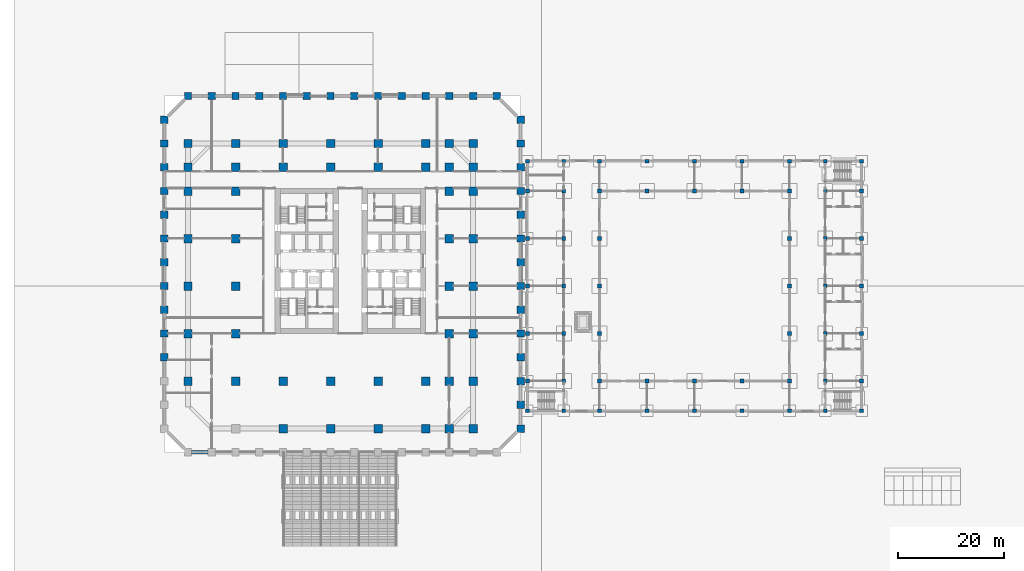
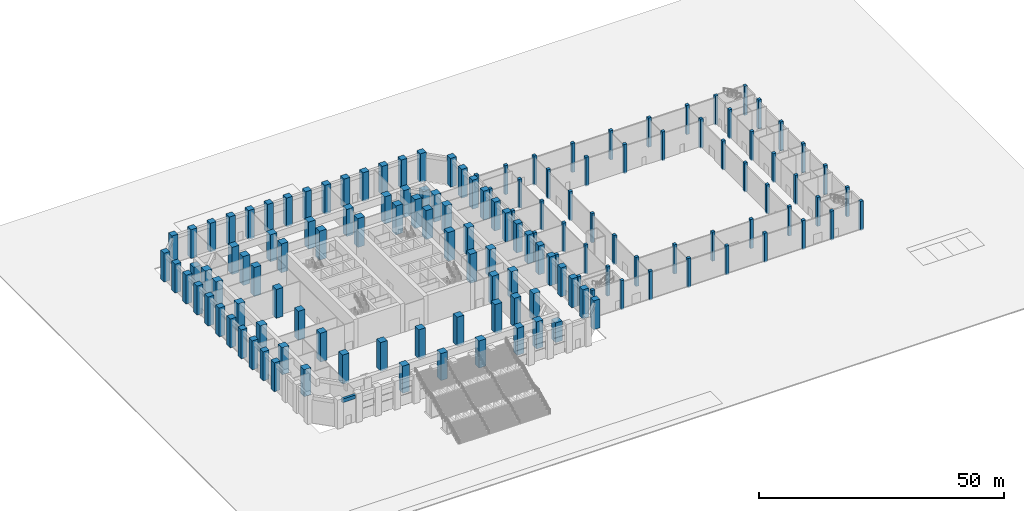
# One storey, part 2 of 30: 139 columns, 1 beam.
"""IFC4 building model written with IfcOpenShell, lengths in metres."""

from ifc_helpers import new_model, si_unit, direction, frame, origin, origin_2d, place, context, subcontext, project, spatial, rectangle, extrude, material, material_profile, profile_set, type_object, element, save


model = new_model("IFC4")

# Units and contexts
model_context = context("Model", 3, precision=1e-05, world=origin(), true_north=direction((0.0, 1.0)))
body_context = subcontext(model_context, "Body", "Model", "MODEL_VIEW")
ifc_project = project(units=[si_unit("LENGTHUNIT", "METRE"), si_unit("AREAUNIT", "SQUARE_METRE"), si_unit("VOLUMEUNIT", "CUBIC_METRE"), si_unit("PLANEANGLEUNIT", "RADIAN"), si_unit("MASSUNIT", "GRAM", prefix="KILO")], contexts=[model_context])

# Site, building, storey
site_placement = place(None, origin())
site = spatial("IfcSite", under=ifc_project, at=site_placement, CompositionType="ELEMENT")
building_placement = place(site_placement, origin())
building = spatial("IfcBuilding", under=site, at=building_placement, Name="Corbel Stack Research Tower", CompositionType="ELEMENT")
storey_placement = place(building_placement, origin())
storey = spatial("IfcBuildingStorey", under=building, at=storey_placement, Name="L00", CompositionType="ELEMENT", Elevation=0.0)

# Columns
ifc_material_1 = material(Name="Concrete C70/85", Category="concrete")
ifc_material_profile_1 = material_profile(ifc_material_1, rectangle(XDim=1.39990234375, YDim=1.39990234375, at=origin_2d()), Name="RC 1400 x 1400")
ifc_profile_set_1 = profile_set([ifc_material_profile_1], Name="Concrete C70/85")
column_type_1 = type_object("IfcColumnType", Name="C-1400-70", PredefinedType="COLUMN", material=ifc_profile_set_1)
for number, where, z_axis, x_axis, name in (
    (1, (-31.5, -13.5, 0.0), (0.0, 0.0, 1.0), (1.0, 0.0, 0.0), "Column 1/E L00"),
    (2, (-31.5, -9.0, 0.0), (0.0, 0.0, 1.0), (1.0, 0.0, 0.0), "Column 1/F L00"),
    (3, (-31.5, -4.5, 0.0), (0.0, 0.0, 1.0), (1.0, 0.0, 0.0), "Column 1/G L00"),
    (4, (-31.5, 0.0, 0.0), (0.0, 0.0, 1.0), (1.0, 0.0, 0.0), "Column 1/H L00"),
    (5, (-31.5, 4.5, 0.0), (0.0, 0.0, 1.0), (1.0, 0.0, 0.0), "Column 1/J L00"),
    (6, (-31.5, 9.0, 0.0), (0.0, 0.0, 1.0), (1.0, 0.0, 0.0), "Column 1/K L00"),
    (7, (-31.5, 13.5, 0.0), (0.0, 0.0, 1.0), (1.0, 0.0, 0.0), "Column 1/L L00"),
    (8, (-31.5, 18.0, 0.0), (0.0, 0.0, 1.0), (1.0, 0.0, 0.0), "Column 1/M L00"),
    (9, (-31.5, 22.5, 0.0), (0.0, 0.0, 1.0), (1.0, 0.0, 0.0), "Column 1/N L00"),
    (10, (-31.5, 27.0, 0.0), (0.0, 0.0, 1.0), (1.0, 0.0, 0.0), "Column 1/P L00"),
    (11, (-31.5, 31.5, 0.0), (0.0, 0.0, 1.0), (1.0, 0.0, 0.0), "Column 1/Q L00"),
    (12, (-27.0, 36.0, 0.0), (0.0, 0.0, 1.0), (1.0, 0.0, 0.0), "Column 2/R L00"),
    (13, (-22.5, 36.0, 0.0), (0.0, 0.0, 1.0), (1.0, 0.0, 0.0), "Column 3/R L00"),
    (14, (-18.0, 36.0, 0.0), (0.0, 0.0, 1.0), (1.0, 0.0, 0.0), "Column 4/R L00"),
    (15, (-13.5, 36.0, 0.0), (0.0, 0.0, 1.0), (1.0, 0.0, 0.0), "Column 5/R L00"),
    (16, (-9.0, 36.0, 0.0), (0.0, 0.0, 1.0), (1.0, 0.0, 0.0), "Column 6/R L00"),
    (17, (-4.5, 36.0, 0.0), (0.0, 0.0, 1.0), (1.0, 0.0, 0.0), "Column 7/R L00"),
    (18, (0.0, 36.0, 0.0), (0.0, 0.0, 1.0), (1.0, 0.0, 0.0), "Column 8/R L00"),
    (19, (4.5, 36.0, 0.0), (0.0, 0.0, 1.0), (1.0, 0.0, 0.0), "Column 9/R L00"),
    (20, (9.0, 36.0, 0.0), (0.0, 0.0, 1.0), (1.0, 0.0, 0.0), "Column 10/R L00"),
    (21, (13.5, 36.0, 0.0), (0.0, 0.0, 1.0), (1.0, 0.0, 0.0), "Column 11/R L00"),
    (22, (18.0, 36.0, 0.0), (0.0, 0.0, 1.0), (1.0, 0.0, 0.0), "Column 12/R L00"),
    (23, (22.5, 36.0, 0.0), (0.0, 0.0, 1.0), (1.0, 0.0, 0.0), "Column 13/R L00"),
    (24, (27.0, 36.0, 0.0), (0.0, 0.0, 1.0), (1.0, 0.0, 0.0), "Column 14/R L00"),
    (25, (31.5, 36.0, 0.0), (0.0, 0.0, 1.0), (1.0, 0.0, 0.0), "Column 15/R L00"),
    (26, (36.0, -27.0, 0.0), (0.0, 0.0, 1.0), (1.0, 0.0, 0.0), "Column 16/B L00"),
    (27, (36.0, -22.5, 0.0), (0.0, 0.0, 1.0), (1.0, 0.0, 0.0), "Column 16/C L00"),
    (28, (36.0, -18.0, 0.0), (0.0, 0.0, 1.0), (1.0, 0.0, 0.0), "Column 16/D L00"),
    (29, (36.0, -13.5, 0.0), (0.0, 0.0, 1.0), (1.0, 0.0, 0.0), "Column 16/E L00"),
    (30, (36.0, -9.0, 0.0), (0.0, 0.0, 1.0), (1.0, 0.0, 0.0), "Column 16/F L00"),
    (31, (36.0, -4.5, 0.0), (0.0, 0.0, 1.0), (1.0, 0.0, 0.0), "Column 16/G L00"),
    (32, (36.0, 0.0, 0.0), (0.0, 0.0, 1.0), (1.0, 0.0, 0.0), "Column 16/H L00"),
    (33, (36.0, 4.5, 0.0), (0.0, 0.0, 1.0), (1.0, 0.0, 0.0), "Column 16/J L00"),
    (34, (36.0, 9.0, 0.0), (0.0, 0.0, 1.0), (1.0, 0.0, 0.0), "Column 16/K L00"),
    (35, (36.0, 13.5, 0.0), (0.0, 0.0, 1.0), (1.0, 0.0, 0.0), "Column 16/L L00"),
    (36, (36.0, 18.0, 0.0), (0.0, 0.0, 1.0), (1.0, 0.0, 0.0), "Column 16/M L00"),
    (37, (36.0, 22.5, 0.0), (0.0, 0.0, 1.0), (1.0, 0.0, 0.0), "Column 16/N L00"),
    (38, (36.0, 27.0, 0.0), (0.0, 0.0, 1.0), (1.0, 0.0, 0.0), "Column 16/P L00"),
    (39, (36.0, 31.5, 0.0), (0.0, 0.0, 1.0), (1.0, 0.0, 0.0), "Column 16/Q L00"),
):
    element("IfcColumn", number, at=place(storey_placement, frame(where, z_axis=z_axis, x_axis=x_axis)), inside=storey, type_object=column_type_1, Name=name, PredefinedType="COLUMN", context=body_context, shape_type="SweptSolid", body=[
        extrude(rectangle(XDim=1.39990234375, YDim=1.39990234375, at=origin_2d()), origin(), (0.0, 0.0, 1.0), 7.199951171875),
    ])
ifc_material_2 = material(Name="Concrete C70/85", Category="concrete")
ifc_material_profile_2 = material_profile(ifc_material_2, rectangle(XDim=1.60009765625, YDim=1.60009765625, at=origin_2d()), Name="RC 1600 x 1600")
ifc_profile_set_2 = profile_set([ifc_material_profile_2], Name="Concrete C70/85")
column_type_2 = type_object("IfcColumnType", Name="C-1600-70", PredefinedType="COLUMN", material=ifc_profile_set_2)
for number, where, z_axis, x_axis, name in (
    (40, (-18.0, -18.0, 0.0), (0.0, 0.0, 1.0), (1.0, 0.0, 0.0), "Column 4/D L00"),
    (41, (-18.0, -9.0, 0.0), (0.0, 0.0, 1.0), (1.0, 0.0, 0.0), "Column 4/F L00"),
    (42, (-18.0, 0.0, 0.0), (0.0, 0.0, 1.0), (1.0, 0.0, 0.0), "Column 4/H L00"),
    (43, (-18.0, 9.0, 0.0), (0.0, 0.0, 1.0), (1.0, 0.0, 0.0), "Column 4/K L00"),
    (44, (-18.0, 18.0, 0.0), (0.0, 0.0, 1.0), (1.0, 0.0, 0.0), "Column 4/M L00"),
    (45, (-18.0, 22.5, 0.0), (0.0, 0.0, 1.0), (1.0, 0.0, 0.0), "Column 4/N L00"),
    (46, (-9.0, -18.0, 0.0), (0.0, 0.0, 1.0), (1.0, 0.0, 0.0), "Column 6/D L00"),
    (47, (-9.0, 22.5, 0.0), (0.0, 0.0, 1.0), (1.0, 0.0, 0.0), "Column 6/N L00"),
    (48, (0.0, -18.0, 0.0), (0.0, 0.0, 1.0), (1.0, 0.0, 0.0), "Column 8/D L00"),
    (49, (0.0, 22.5, 0.0), (0.0, 0.0, 1.0), (1.0, 0.0, 0.0), "Column 8/N L00"),
    (50, (9.0, -18.0, 0.0), (0.0, 0.0, 1.0), (1.0, 0.0, 0.0), "Column 10/D L00"),
    (51, (9.0, 22.5, 0.0), (0.0, 0.0, 1.0), (1.0, 0.0, 0.0), "Column 10/N L00"),
    (52, (18.0, -18.0, 0.0), (0.0, 0.0, 1.0), (1.0, 0.0, 0.0), "Column 12/D L00"),
    (53, (18.0, 22.5, 0.0), (0.0, 0.0, 1.0), (1.0, 0.0, 0.0), "Column 12/N L00"),
    (54, (22.5, -18.0, 0.0), (0.0, 0.0, 1.0), (1.0, 0.0, 0.0), "Column 13/D L00"),
    (55, (22.5, -9.0, 0.0), (0.0, 0.0, 1.0), (1.0, 0.0, 0.0), "Column 13/F L00"),
    (56, (22.5, 0.0, 0.0), (0.0, 0.0, 1.0), (1.0, 0.0, 0.0), "Column 13/H L00"),
    (57, (22.5, 9.0, 0.0), (0.0, 0.0, 1.0), (1.0, 0.0, 0.0), "Column 13/K L00"),
    (58, (22.5, 18.0, 0.0), (0.0, 0.0, 1.0), (1.0, 0.0, 0.0), "Column 13/M L00"),
    (59, (22.5, 22.5, 0.0), (0.0, 0.0, 1.0), (1.0, 0.0, 0.0), "Column 13/N L00"),
):
    element("IfcColumn", number, at=place(storey_placement, frame(where, z_axis=z_axis, x_axis=x_axis)), inside=storey, type_object=column_type_2, Name=name, PredefinedType="COLUMN", context=body_context, shape_type="SweptSolid", body=[
        extrude(rectangle(XDim=1.60009765625, YDim=1.60009765625, at=origin_2d()), origin(), (0.0, 0.0, 1.0), 7.199951171875),
    ])
ifc_material_3 = material(Name="Concrete C70/85", Category="concrete")
ifc_material_profile_3 = material_profile(ifc_material_3, rectangle(XDim=1.60009765625, YDim=1.60009765625, at=origin_2d()), Name="RC 1600 x 1600")
ifc_profile_set_3 = profile_set([ifc_material_profile_3], Name="Concrete C70/85")
column_type_3 = type_object("IfcColumnType", Name="CG-1600-70-2250", PredefinedType="COLUMN", material=ifc_profile_set_3)
for number, where, z_axis, x_axis, name in (
    (60, (-27.0, 27.0, 0.0), (0.0, 0.0, 1.0), (1.0, 0.0, 0.0), "Column 2/P L00"),
    (61, (27.0, -27.0, 0.0), (0.0, 0.0, 1.0), (1.0, 0.0, 0.0), "Column 14/B L00"),
    (62, (27.0, 27.0, 0.0), (0.0, 0.0, 1.0), (1.0, 0.0, 0.0), "Column 14/P L00"),
):
    element("IfcColumn", number, at=place(storey_placement, frame(where, z_axis=z_axis, x_axis=x_axis)), inside=storey, type_object=column_type_3, Name=name, PredefinedType="COLUMN", context=body_context, shape_type="SweptSolid", body=[
        extrude(rectangle(XDim=1.60009765625, YDim=1.60009765625, at=origin_2d()), origin(), (0.0, 0.0, 1.0), 4.949951171875),
    ])
ifc_material_4 = material(Name="Concrete C70/85", Category="concrete")
ifc_material_profile_4 = material_profile(ifc_material_4, rectangle(XDim=1.60009765625, YDim=1.60009765625, at=origin_2d()), Name="RC 1600 x 1600")
ifc_profile_set_4 = profile_set([ifc_material_profile_4], Name="Concrete C70/85")
column_type_4 = type_object("IfcColumnType", Name="CG-1600-70-450", PredefinedType="COLUMN", material=ifc_profile_set_4)
for number, where, z_axis, x_axis, name in (
    (63, (-27.0, -18.0, 0.0), (0.0, 0.0, 1.0), (1.0, 0.0, 0.0), "Column 2/D L00"),
    (64, (-27.0, -9.0, 0.0), (0.0, 0.0, 1.0), (1.0, 0.0, 0.0), "Column 2/F L00"),
    (65, (-27.0, 0.0, 0.0), (0.0, 0.0, 1.0), (1.0, 0.0, 0.0), "Column 2/H L00"),
    (66, (-27.0, 9.0, 0.0), (0.0, 0.0, 1.0), (1.0, 0.0, 0.0), "Column 2/K L00"),
    (67, (-27.0, 18.0, 0.0), (0.0, 0.0, 1.0), (1.0, 0.0, 0.0), "Column 2/M L00"),
    (68, (-27.0, 22.5, 0.0), (0.0, 0.0, 1.0), (1.0, 0.0, 0.0), "Column 2/N L00"),
    (69, (-18.0, 27.0, 0.0), (0.0, 0.0, 1.0), (1.0, 0.0, 0.0), "Column 4/P L00"),
    (70, (-9.0, -27.0, 0.0), (0.0, 0.0, 1.0), (1.0, 0.0, 0.0), "Column 6/B L00"),
    (71, (-9.0, 27.0, 0.0), (0.0, 0.0, 1.0), (1.0, 0.0, 0.0), "Column 6/P L00"),
    (72, (0.0, -27.0, 0.0), (0.0, 0.0, 1.0), (1.0, 0.0, 0.0), "Column 8/B L00"),
    (73, (0.0, 27.0, 0.0), (0.0, 0.0, 1.0), (1.0, 0.0, 0.0), "Column 8/P L00"),
    (74, (9.0, -27.0, 0.0), (0.0, 0.0, 1.0), (1.0, 0.0, 0.0), "Column 10/B L00"),
    (75, (9.0, 27.0, 0.0), (0.0, 0.0, 1.0), (1.0, 0.0, 0.0), "Column 10/P L00"),
    (76, (18.0, -27.0, 0.0), (0.0, 0.0, 1.0), (1.0, 0.0, 0.0), "Column 12/B L00"),
    (77, (18.0, 27.0, 0.0), (0.0, 0.0, 1.0), (1.0, 0.0, 0.0), "Column 12/P L00"),
    (78, (22.5, -27.0, 0.0), (0.0, 0.0, 1.0), (1.0, 0.0, 0.0), "Column 13/B L00"),
    (79, (22.5, 27.0, 0.0), (0.0, 0.0, 1.0), (1.0, 0.0, 0.0), "Column 13/P L00"),
    (80, (27.0, -18.0, 0.0), (0.0, 0.0, 1.0), (1.0, 0.0, 0.0), "Column 14/D L00"),
    (81, (27.0, -9.0, 0.0), (0.0, 0.0, 1.0), (1.0, 0.0, 0.0), "Column 14/F L00"),
    (82, (27.0, 0.0, 0.0), (0.0, 0.0, 1.0), (1.0, 0.0, 0.0), "Column 14/H L00"),
    (83, (27.0, 9.0, 0.0), (0.0, 0.0, 1.0), (1.0, 0.0, 0.0), "Column 14/K L00"),
    (84, (27.0, 18.0, 0.0), (0.0, 0.0, 1.0), (1.0, 0.0, 0.0), "Column 14/M L00"),
    (85, (27.0, 22.5, 0.0), (0.0, 0.0, 1.0), (1.0, 0.0, 0.0), "Column 14/N L00"),
):
    element("IfcColumn", number, at=place(storey_placement, frame(where, z_axis=z_axis, x_axis=x_axis)), inside=storey, type_object=column_type_4, Name=name, PredefinedType="COLUMN", context=body_context, shape_type="SweptSolid", body=[
        extrude(rectangle(XDim=1.60009765625, YDim=1.60009765625, at=origin_2d()), origin(), (0.0, 0.0, 1.0), 6.75),
    ])
ifc_material_5 = material(Name="Concrete C50/60", Category="concrete")
ifc_material_profile_5 = material_profile(ifc_material_5, rectangle(XDim=0.699951171875, YDim=0.699951171875, at=origin_2d()), Name="RC 700 x 700")
ifc_profile_set_5 = profile_set([ifc_material_profile_5], Name="Concrete C50/60")
column_type_5 = type_object("IfcColumnType", Name="HC1 RC column 700 x 700", PredefinedType="COLUMN", material=ifc_profile_set_5)
for number, where, z_axis, x_axis, name in (
    (86, (37.300048828125, -23.64990234375, -0.300048828125), (0.0, 0.0, 1.0), (1.0, 0.0, 0.0), "Column H1/HA L00"),
    (87, (37.300048828125, -18.0, -0.300048828125), (0.0, 0.0, 1.0), (1.0, 0.0, 0.0), "Column H1/HB L00"),
    (88, (37.300048828125, -9.0, -0.300048828125), (0.0, 0.0, 1.0), (1.0, 0.0, 0.0), "Column H1/HC L00"),
    (89, (37.300048828125, 0.0, -0.300048828125), (0.0, 0.0, 1.0), (1.0, 0.0, 0.0), "Column H1/HD L00"),
    (90, (37.300048828125, 9.0, -0.300048828125), (0.0, 0.0, 1.0), (1.0, 0.0, 0.0), "Column H1/HE L00"),
    (91, (37.300048828125, 18.0, -0.300048828125), (0.0, 0.0, 1.0), (1.0, 0.0, 0.0), "Column H1/HF L00"),
    (92, (37.300048828125, 23.64990234375, -0.300048828125), (0.0, 0.0, 1.0), (1.0, 0.0, 0.0), "Column H1/HG L00"),
    (93, (44.199951171875, -23.64990234375, -0.300048828125), (0.0, 0.0, 1.0), (1.0, 0.0, 0.0), "Column H2/HA L00"),
    (94, (44.199951171875, -18.0, -0.300048828125), (0.0, 0.0, 1.0), (1.0, 0.0, 0.0), "Column H2/HB L00"),
    (95, (44.199951171875, -9.0, -0.300048828125), (0.0, 0.0, 1.0), (1.0, 0.0, 0.0), "Column H2/HC L00"),
    (96, (44.199951171875, 0.0, -0.300048828125), (0.0, 0.0, 1.0), (1.0, 0.0, 0.0), "Column H2/HD L00"),
    (97, (44.199951171875, 9.0, -0.300048828125), (0.0, 0.0, 1.0), (1.0, 0.0, 0.0), "Column H2/HE L00"),
    (98, (44.199951171875, 18.0, -0.300048828125), (0.0, 0.0, 1.0), (1.0, 0.0, 0.0), "Column H2/HF L00"),
    (99, (44.199951171875, 23.64990234375, -0.300048828125), (0.0, 0.0, 1.0), (1.0, 0.0, 0.0), "Column H2/HG L00"),
    (100, (50.949951171875, -23.64990234375, -0.300048828125), (0.0, 0.0, 1.0), (1.0, 0.0, 0.0), "Column H3/HA L00"),
    (101, (50.949951171875, -18.0, -0.300048828125), (0.0, 0.0, 1.0), (1.0, 0.0, 0.0), "Column H3/HB L00"),
    (102, (50.949951171875, -9.0, -0.300048828125), (0.0, 0.0, 1.0), (1.0, 0.0, 0.0), "Column H3/HC L00"),
    (103, (50.949951171875, 0.0, -0.300048828125), (0.0, 0.0, 1.0), (1.0, 0.0, 0.0), "Column H3/HD L00"),
    (104, (50.949951171875, 9.0, -0.300048828125), (0.0, 0.0, 1.0), (1.0, 0.0, 0.0), "Column H3/HE L00"),
    (105, (50.949951171875, 18.0, -0.300048828125), (0.0, 0.0, 1.0), (1.0, 0.0, 0.0), "Column H3/HF L00"),
    (106, (50.949951171875, 23.64990234375, -0.300048828125), (0.0, 0.0, 1.0), (1.0, 0.0, 0.0), "Column H3/HG L00"),
    (107, (59.949951171875, -23.64990234375, -0.300048828125), (0.0, 0.0, 1.0), (1.0, 0.0, 0.0), "Column H4/HA L00"),
    (108, (59.949951171875, -18.0, -0.300048828125), (0.0, 0.0, 1.0), (1.0, 0.0, 0.0), "Column H4/HB L00"),
    (109, (59.949951171875, 18.0, -0.300048828125), (0.0, 0.0, 1.0), (1.0, 0.0, 0.0), "Column H4/HF L00"),
    (110, (59.949951171875, 23.64990234375, -0.300048828125), (0.0, 0.0, 1.0), (1.0, 0.0, 0.0), "Column H4/HG L00"),
    (111, (68.949951171875, -23.64990234375, -0.300048828125), (0.0, 0.0, 1.0), (1.0, 0.0, 0.0), "Column H5/HA L00"),
    (112, (68.949951171875, -18.0, -0.300048828125), (0.0, 0.0, 1.0), (1.0, 0.0, 0.0), "Column H5/HB L00"),
    (113, (68.949951171875, 18.0, -0.300048828125), (0.0, 0.0, 1.0), (1.0, 0.0, 0.0), "Column H5/HF L00"),
    (114, (68.949951171875, 23.64990234375, -0.300048828125), (0.0, 0.0, 1.0), (1.0, 0.0, 0.0), "Column H5/HG L00"),
    (115, (77.949951171875, -23.64990234375, -0.300048828125), (0.0, 0.0, 1.0), (1.0, 0.0, 0.0), "Column H6/HA L00"),
    (116, (77.949951171875, -18.0, -0.300048828125), (0.0, 0.0, 1.0), (1.0, 0.0, 0.0), "Column H6/HB L00"),
    (117, (77.949951171875, 18.0, -0.300048828125), (0.0, 0.0, 1.0), (1.0, 0.0, 0.0), "Column H6/HF L00"),
    (118, (77.949951171875, 23.64990234375, -0.300048828125), (0.0, 0.0, 1.0), (1.0, 0.0, 0.0), "Column H6/HG L00"),
    (119, (86.949951171875, -23.64990234375, -0.300048828125), (0.0, 0.0, 1.0), (1.0, 0.0, 0.0), "Column H7/HA L00"),
    (120, (86.949951171875, -18.0, -0.300048828125), (0.0, 0.0, 1.0), (1.0, 0.0, 0.0), "Column H7/HB L00"),
    (121, (86.949951171875, -9.0, -0.300048828125), (0.0, 0.0, 1.0), (1.0, 0.0, 0.0), "Column H7/HC L00"),
    (122, (86.949951171875, 0.0, -0.300048828125), (0.0, 0.0, 1.0), (1.0, 0.0, 0.0), "Column H7/HD L00"),
    (123, (86.949951171875, 9.0, -0.300048828125), (0.0, 0.0, 1.0), (1.0, 0.0, 0.0), "Column H7/HE L00"),
    (124, (86.949951171875, 18.0, -0.300048828125), (0.0, 0.0, 1.0), (1.0, 0.0, 0.0), "Column H7/HF L00"),
    (125, (86.949951171875, 23.64990234375, -0.300048828125), (0.0, 0.0, 1.0), (1.0, 0.0, 0.0), "Column H7/HG L00"),
    (126, (93.699951171875, -23.64990234375, -0.300048828125), (0.0, 0.0, 1.0), (1.0, 0.0, 0.0), "Column H8/HA L00"),
    (127, (93.699951171875, -18.0, -0.300048828125), (0.0, 0.0, 1.0), (1.0, 0.0, 0.0), "Column H8/HB L00"),
    (128, (93.699951171875, -9.0, -0.300048828125), (0.0, 0.0, 1.0), (1.0, 0.0, 0.0), "Column H8/HC L00"),
    (129, (93.699951171875, 0.0, -0.300048828125), (0.0, 0.0, 1.0), (1.0, 0.0, 0.0), "Column H8/HD L00"),
    (130, (93.699951171875, 9.0, -0.300048828125), (0.0, 0.0, 1.0), (1.0, 0.0, 0.0), "Column H8/HE L00"),
    (131, (93.699951171875, 18.0, -0.300048828125), (0.0, 0.0, 1.0), (1.0, 0.0, 0.0), "Column H8/HF L00"),
    (132, (93.699951171875, 23.64990234375, -0.300048828125), (0.0, 0.0, 1.0), (1.0, 0.0, 0.0), "Column H8/HG L00"),
    (133, (100.60009765625, -23.64990234375, -0.300048828125), (0.0, 0.0, 1.0), (1.0, 0.0, 0.0), "Column H9/HA L00"),
    (134, (100.60009765625, -18.0, -0.300048828125), (0.0, 0.0, 1.0), (1.0, 0.0, 0.0), "Column H9/HB L00"),
    (135, (100.60009765625, -9.0, -0.300048828125), (0.0, 0.0, 1.0), (1.0, 0.0, 0.0), "Column H9/HC L00"),
    (136, (100.60009765625, 0.0, -0.300048828125), (0.0, 0.0, 1.0), (1.0, 0.0, 0.0), "Column H9/HD L00"),
    (137, (100.60009765625, 9.0, -0.300048828125), (0.0, 0.0, 1.0), (1.0, 0.0, 0.0), "Column H9/HE L00"),
    (138, (100.60009765625, 18.0, -0.300048828125), (0.0, 0.0, 1.0), (1.0, 0.0, 0.0), "Column H9/HF L00"),
    (139, (100.60009765625, 23.64990234375, -0.300048828125), (0.0, 0.0, 1.0), (1.0, 0.0, 0.0), "Column H9/HG L00"),
):
    element("IfcColumn", number, at=place(storey_placement, frame(where, z_axis=z_axis, x_axis=x_axis)), inside=storey, type_object=column_type_5, Name=name, PredefinedType="COLUMN", context=body_context, shape_type="SweptSolid", body=[
        extrude(rectangle(XDim=0.699951171875, YDim=0.699951171875, at=origin_2d()), origin(), (0.0, 0.0, 1.0), 7.25),
    ])

# Beam
ifc_material_6 = material(Name="Concrete C60/75", Category="concrete")
ifc_material_profile_6 = material_profile(ifc_material_6, rectangle(XDim=0.60009765625, YDim=0.89990234375, at=origin_2d()), Name="RC 600 x 900")
ifc_profile_set_6 = profile_set([ifc_material_profile_6], Name="Concrete C60/75")
beam_type = type_object("IfcBeamType", Name="SB-600-900-450", PredefinedType="SPANDREL", material=ifc_profile_set_6)
beam_placement = place(storey_placement, frame((-26.300048828125, -31.5, 6.300048828125), z_axis=(1.0, 0.0, 0.0), x_axis=(0.0, 1.0, 0.0)))
element("IfcBeam", 140, at=beam_placement, inside=storey, type_object=beam_type, Name="Spandrel beam L00-01", PredefinedType="SPANDREL", context=body_context, shape_type="SweptSolid", body=[
    extrude(rectangle(XDim=0.60009765625, YDim=0.89990234375, at=origin_2d()), origin(), (0.0, 0.0, 1.0), 3.10009765625),
])

save(model, "model.ifc")
